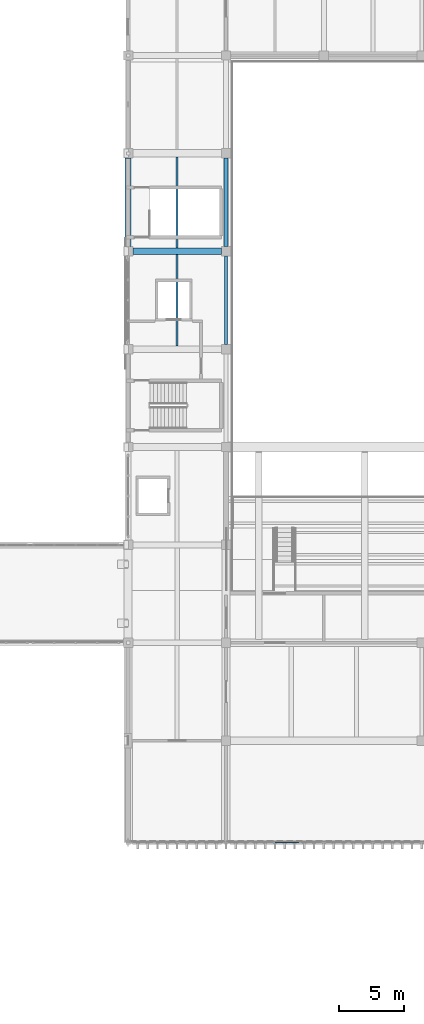
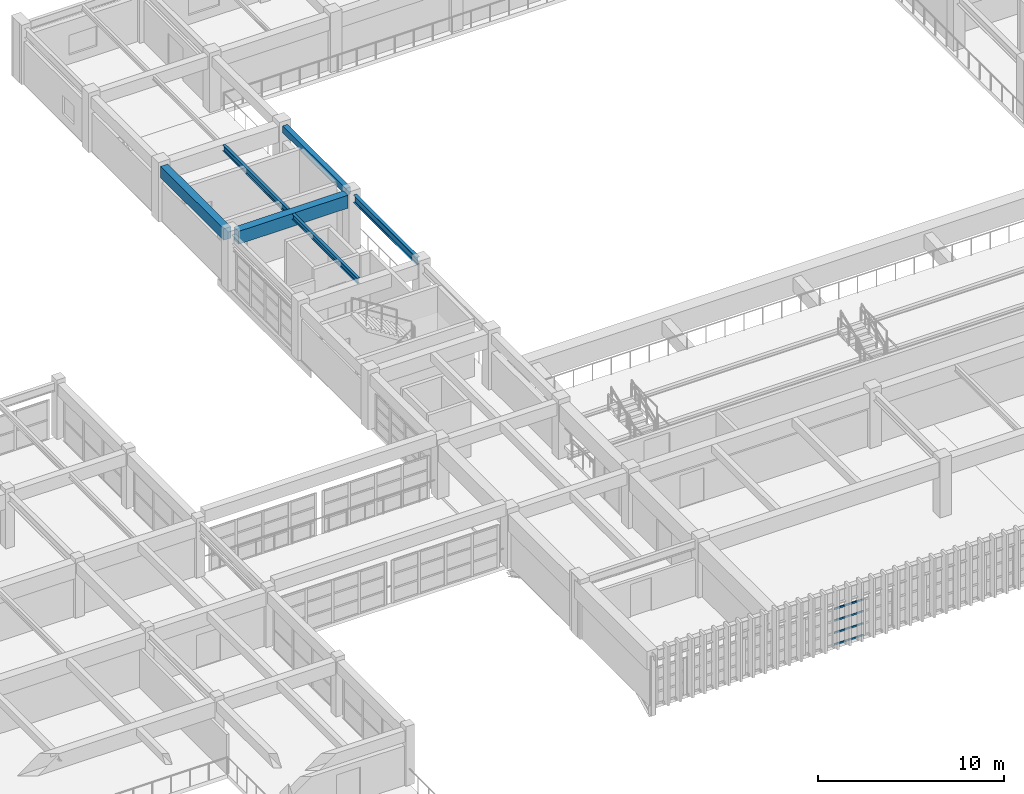
# One storey, part 39 of 101: 6 beams, 4 members, 1 element without a shape of its own.
"""IFC4 building model written with IfcOpenShell, lengths in metres."""

import ifcopenshell
import ifcopenshell.guid

model = None  # the IFC model being written
_history = None  # IfcOwnerHistory: only IFC2X3 demands one
_inside = {}  # id of a spatial element -> (the spatial element, [elements in it])
_under = {}  # id of a project, library or spatial element -> (it, [spatial elements below it])
_declared = {}  # id of a project -> (the project, [libraries it declares])
_typed = {}  # id of a type object -> (the type object, [elements of that type])
_made_of = {}  # id of a material, layer set ... -> (it, [elements and type objects made of it])


def new_model(schema):
    """Start an empty IFC model of exactly this schema.

    Asked for "IFC4X3", IfcOpenShell would pick the latest addendum, in which some entities
    have other attributes; the version numbers below select the first issue.
    IFC2X3 requires an IfcOwnerHistory on every rooted entity: one is made here for all.
    """
    global model, _history
    if schema == "IFC4X3":
        model = ifcopenshell.file(schema_version=(4, 3, 0, 0))
    else:
        model = ifcopenshell.file(schema=schema)
    _inside.clear()
    _under.clear()
    _declared.clear()
    _typed.clear()
    _made_of.clear()
    _history = None
    if model.schema == "IFC2X3":
        org = make("IfcOrganization", Name="unknown")
        user = make(
            "IfcPersonAndOrganization",
            ThePerson=make("IfcPerson", FamilyName="unknown"),
            TheOrganization=org,
        )
        app = make(
            "IfcApplication",
            ApplicationDeveloper=org,
            Version="unknown",
            ApplicationFullName="unknown",
            ApplicationIdentifier="unknown",
        )
        _history = make(
            "IfcOwnerHistory",
            OwningUser=user,
            OwningApplication=app,
            ChangeAction="ADDED",
            CreationDate=0,
        )
    return model


def make(cls, **values):
    """One entity of the class cls with the attributes given. An attribute that is None is left unset."""
    return model.create_entity(
        cls, **{name: value for name, value in values.items() if value is not None}
    )


def rooted(cls, **values):
    """An entity with a GlobalId (a new one), such as an element, a storey or a relation."""
    return make(cls, GlobalId=ifcopenshell.guid.new(), OwnerHistory=_history, **values)


def si_unit(unit_type, name, prefix=None):
    """IfcSIUnit, for example si_unit("LENGTHUNIT", "METRE", prefix="MILLI")."""
    return make("IfcSIUnit", UnitType=unit_type, Prefix=prefix, Name=name)


def assignment(units):
    """IfcUnitAssignment: the units of a project."""
    return None if units is None else make("IfcUnitAssignment", Units=units)


def point(xyz):
    """IfcCartesianPoint."""
    return None if xyz is None else make("IfcCartesianPoint", Coordinates=xyz)


def direction(xyz):
    """IfcDirection."""
    return None if xyz is None else make("IfcDirection", DirectionRatios=xyz)


def frame(location, z_axis=None, x_axis=None):
    """IfcAxis2Placement3D, a coordinate frame: its origin and axes. An axis left out is left unset."""
    return make(
        "IfcAxis2Placement3D",
        Location=point(location),
        Axis=direction(z_axis),
        RefDirection=direction(x_axis),
    )


def frame_2d(location, x_axis=None):
    """IfcAxis2Placement2D, a coordinate frame in the plane: its origin and x axis."""
    return make(
        "IfcAxis2Placement2D", Location=point(location), RefDirection=direction(x_axis)
    )


def origin():
    """The frame at (0, 0, 0) with its axes left unset."""
    return frame((0.0, 0.0, 0.0))


def origin_2d():
    """The frame at (0, 0) in the plane with its x axis left unset."""
    return frame_2d((0.0, 0.0))


def place(relative_to, where):
    """IfcLocalPlacement: puts the frame where relative to a parent placement (None: the world)."""
    return make(
        "IfcLocalPlacement", PlacementRelTo=relative_to, RelativePlacement=where
    )


def context(
    kind, dimensions, precision=None, world=None, true_north=None, identifier=None
):
    """IfcGeometricRepresentationContext, for example the 3D "Model" context."""
    return make(
        "IfcGeometricRepresentationContext",
        ContextIdentifier=identifier,
        ContextType=kind,
        CoordinateSpaceDimension=dimensions,
        Precision=precision,
        WorldCoordinateSystem=world,
        TrueNorth=true_north,
    )


def subcontext(parent, identifier, kind, view, scale=None):
    """IfcGeometricRepresentationSubContext, for example "Body" below "Model"."""
    return make(
        "IfcGeometricRepresentationSubContext",
        ContextIdentifier=identifier,
        ContextType=kind,
        ParentContext=parent,
        TargetScale=scale,
        TargetView=view,
    )


def project(units=None, contexts=None):
    """IfcProject with its units and contexts."""
    return rooted(
        "IfcProject",
        Name="project",
        RepresentationContexts=contexts,
        UnitsInContext=assignment(units),
    )


def spatial(cls, under=None, at=None, **own):
    """A site, building, storey or space (cls), placed at a placement, below another one or the project."""
    s = rooted(cls, ObjectPlacement=at, **own)
    if under is not None:
        _under.setdefault(under.id(), (under, []))[1].append(s)
    return s


def profile(cls, at=None, kind="AREA", **sizes):
    """A parametric profile (cls). Its sizes go by their IFC names, for example OverallWidth=200.0."""
    return make(cls, ProfileType=kind, Position=at, **sizes)


def rectangle(**sizes):
    """IfcRectangleProfileDef."""
    return profile("IfcRectangleProfileDef", **sizes)


def hollow_rectangle(**sizes):
    """IfcRectangleHollowProfileDef."""
    return profile("IfcRectangleHollowProfileDef", **sizes)


def i_section(**sizes):
    """IfcIShapeProfileDef."""
    return profile("IfcIShapeProfileDef", **sizes)


def extrude(swept, where, along, depth):
    """IfcExtrudedAreaSolid: the profile swept, set in the frame where, extruded along a direction by depth."""
    return make(
        "IfcExtrudedAreaSolid",
        SweptArea=swept,
        Position=where,
        ExtrudedDirection=direction(along),
        Depth=depth,
    )


def shape(context_of_items, identifier, shape_type, items):
    """IfcShapeRepresentation: the items that make up one representation, for example the "Body"."""
    return make(
        "IfcShapeRepresentation",
        ContextOfItems=context_of_items,
        RepresentationIdentifier=identifier,
        RepresentationType=shape_type,
        Items=items,
    )


def material(Name=None, Category=None):
    """IfcMaterial."""
    return make("IfcMaterial", Name=Name, Category=Category)


def material_profile(
    of_material, cross_section, Name=None, Category=None, Priority=None
):
    """IfcMaterialProfile: a cross section and its material."""
    return make(
        "IfcMaterialProfile",
        Name=Name,
        Material=of_material,
        Profile=cross_section,
        Priority=Priority,
        Category=Category,
    )


def profile_set(profiles, Name=None, composite=None):
    """IfcMaterialProfileSet."""
    return make(
        "IfcMaterialProfileSet",
        Name=Name,
        MaterialProfiles=profiles,
        CompositeProfile=composite,
    )


def made_of(thing, what):
    """Note that an element or type object is made of a material, layer set ...; save() writes the relation."""
    if what is not None:
        _made_of.setdefault(what.id(), (what, []))[1].append(thing)
    return thing


def type_object(cls, material=None, **own):
    """A type object (cls), such as IfcWallType, which elements share."""
    return made_of(rooted(cls, **own), material)


def element(
    cls,
    number,
    at=None,
    inside=None,
    cuts=None,
    type_object=None,
    material=None,
    context=None,
    identifier="Body",
    shape_type=None,
    held_by="IfcProductDefinitionShape",
    body=None,
    shapes=None,
    **own,
):
    """One element of the class cls, such as IfcWall. Its Tag is "e" and its number.

    at: its placement. inside: the storey or other place that contains it. cuts: it is an
    opening in that element (IfcRelVoidsElement). A single representation is given by context,
    identifier, shape_type and body (its items); several are given by shapes. held_by: the class
    of the entity that holds the representations. save() writes the other relations.
    """
    e = rooted(cls, Tag="e%d" % number, ObjectPlacement=at, **own)
    if body is not None:
        shapes = [shape(context, identifier, shape_type, body)]
    if shapes is not None:
        e.Representation = make(held_by, Representations=shapes)
    if inside is not None:
        _inside.setdefault(inside.id(), (inside, []))[1].append(e)
    if cuts is not None:
        rooted(
            "IfcRelVoidsElement", RelatingBuildingElement=cuts, RelatedOpeningElement=e
        )
    if type_object is not None:
        _typed.setdefault(type_object.id(), (type_object, []))[1].append(e)
    return made_of(e, material)


def aggregate(whole, parts):
    """IfcRelAggregates: a whole, such as a stair, and the parts it consists of."""
    return rooted("IfcRelAggregates", RelatingObject=whole, RelatedObjects=parts)


def save(model, path):
    """Write the relations noted so far, then the file.

    IfcRelAggregates (storeys below a building ...), IfcRelContainedInSpatialStructure (elements
    in a storey), IfcRelDefinesByType, IfcRelAssociatesMaterial and IfcRelDeclares: one each for
    every whole, place, type object, material and project.
    """
    for whole, parts in _under.values():
        aggregate(whole, parts)
    for where, things in _inside.values():
        rooted(
            "IfcRelContainedInSpatialStructure",
            RelatedElements=things,
            RelatingStructure=where,
        )
    for kind, things in _typed.values():
        rooted("IfcRelDefinesByType", RelatedObjects=things, RelatingType=kind)
    for what, things in _made_of.values():
        rooted("IfcRelAssociatesMaterial", RelatedObjects=things, RelatingMaterial=what)
    for by, libraries in _declared.values():
        rooted("IfcRelDeclares", RelatingContext=by, RelatedDefinitions=libraries)
    model.write(path)


model = new_model("IFC4")

# Units and contexts
model_context = context("Model", 3, precision=1e-05, world=origin(), true_north=direction((0.0, 1.0)))
body_context = subcontext(model_context, "Body", "Model", "MODEL_VIEW")
ifc_project = project(units=[si_unit("LENGTHUNIT", "METRE"), si_unit("AREAUNIT", "SQUARE_METRE"), si_unit("VOLUMEUNIT", "CUBIC_METRE"), si_unit("PLANEANGLEUNIT", "RADIAN"), si_unit("MASSUNIT", "GRAM", prefix="KILO")], contexts=[model_context])

# Site, building, storey
site_placement = place(None, origin())
site = spatial("IfcSite", under=ifc_project, at=site_placement, CompositionType="ELEMENT")
building_placement = place(site_placement, origin())
building = spatial("IfcBuilding", under=site, at=building_placement, Name="Qasida Concert Hall", CompositionType="ELEMENT")
storey_placement = place(building_placement, frame((0.0, 0.0, 13.199951171875)))
storey = spatial("IfcBuildingStorey", under=building, at=storey_placement, Name="L03", CompositionType="ELEMENT", Elevation=13.199951171875)

# Beams
ifc_material_1 = material(Name="Concrete C40/50", Category="concrete")
ifc_material_profile_1 = material_profile(ifc_material_1, rectangle(XDim=0.300048828125, YDim=0.449951171875, at=origin_2d()), Name="RC 300x450")
ifc_profile_set_1 = profile_set([ifc_material_profile_1], Name="Concrete C40/50")
beam_type_1 = type_object("IfcBeamType", Name="BM-B3", PredefinedType="BEAM", material=ifc_profile_set_1)
beam_1_placement = place(storey_placement, frame((60.0, 60.360107421875, 3.39501953125), z_axis=(0.0, 1.0, 0.0), x_axis=(-1.0, 0.0, 0.0)))
element("IfcBeam", 1, at=beam_1_placement, inside=storey, type_object=beam_type_1, Name="L03 girder 1553", PredefinedType="BEAM", context=body_context, shape_type="SweptSolid", body=[
    extrude(rectangle(XDim=0.300048828125, YDim=0.449951171875, at=origin_2d()), origin(), (0.0, 0.0, 1.0), 6.77978515625),
])
ifc_material_2 = material(Name="Steel S355J2", Category="steel")
ifc_material_profile_2 = material_profile(ifc_material_2, i_section(OverallWidth=0.199951171875, OverallDepth=0.5, WebThickness=0.01025390625, FlangeThickness=0.01611328125, FilletRadius=0.02099609375, at=origin_2d()), Name="IPE 500")
ifc_profile_set_2 = profile_set([ifc_material_profile_2], Name="Steel S355J2")
beam_type_2 = type_object("IfcBeamType", Name="BM-B4", PredefinedType="BEAM", material=ifc_profile_set_2)
beam_2_placement = place(storey_placement, frame((60.0, 52.860107421875, 3.3701171875), z_axis=(0.0, 1.0, 0.0), x_axis=(-1.0, 0.0, 0.0)))
element("IfcBeam", 2, at=beam_2_placement, inside=storey, type_object=beam_type_2, Name="L03 girder 1552", PredefinedType="BEAM", context=body_context, shape_type="SweptSolid", body=[
    extrude(i_section(OverallWidth=0.199951171875, OverallDepth=0.5, WebThickness=0.01025390625, FlangeThickness=0.01611328125, FilletRadius=0.02099609375, at=origin_2d()), origin(), (0.0, 0.0, 1.0), 6.77978515625),
])
ifc_material_profile_3 = material_profile(ifc_material_1, rectangle(XDim=0.47998046875, YDim=0.85009765625, at=origin_2d()), Name="RC 480x850")
ifc_profile_set_3 = profile_set([ifc_material_profile_3], Name="Concrete C40/50")
beam_type_3 = type_object("IfcBeamType", Name="BM-G6", PredefinedType="USERDEFINED", material=ifc_profile_set_3)
beam_3_placement = place(storey_placement, frame((52.860107421875, 60.0, 3.195068359375), z_axis=(1.0, 0.0, 0.0), x_axis=(0.0, 1.0, 0.0)))
element("IfcBeam", 3, at=beam_3_placement, inside=storey, type_object=beam_type_3, Name="Primary girder 1526", ObjectType="GIRDER", PredefinedType="USERDEFINED", context=body_context, shape_type="SweptSolid", body=[
    extrude(rectangle(XDim=0.47998046875, YDim=0.85009765625, at=origin_2d()), origin(), (0.0, 0.0, 1.0), 6.77978515625),
])
ifc_material_profile_4 = material_profile(ifc_material_2, i_section(OverallWidth=0.169921875, OverallDepth=0.360107421875, WebThickness=0.008056640625, FlangeThickness=0.0126953125, FilletRadius=0.01806640625, at=origin_2d()), Name="IPE 360")
ifc_profile_set_4 = profile_set([ifc_material_profile_4], Name="Steel S355J2")
beam_type_4 = type_object("IfcBeamType", Name="BM-J2", PredefinedType="JOIST", material=ifc_profile_set_4)
beam_4_placement = place(storey_placement, frame((56.25, 52.75, 3.43994140625), z_axis=(0.0, 1.0, 0.0), x_axis=(-1.0, 0.0, 0.0)))
element("IfcBeam", 4, at=beam_4_placement, inside=storey, type_object=beam_type_4, Name="L03 secondary joist 1577", PredefinedType="JOIST", context=body_context, shape_type="SweptSolid", body=[
    extrude(i_section(OverallWidth=0.169921875, OverallDepth=0.360107421875, WebThickness=0.008056640625, FlangeThickness=0.0126953125, FilletRadius=0.01806640625, at=origin_2d()), origin(), (0.0, 0.0, 1.0), 7.010009765625),
])
ifc_material_profile_5 = material_profile(ifc_material_2, i_section(OverallWidth=0.179931640625, OverallDepth=0.39990234375, WebThickness=0.008544921875, FlangeThickness=0.013427734375, FilletRadius=0.02099609375, at=origin_2d()), Name="IPE 400")
ifc_profile_set_5 = profile_set([ifc_material_profile_5], Name="Steel S355J2")
beam_type_5 = type_object("IfcBeamType", Name="BM-J3", PredefinedType="JOIST", material=ifc_profile_set_5)
beam_5_placement = place(storey_placement, frame((56.25, 60.239990234375, 3.420166015625), z_axis=(0.0, 1.0, 0.0), x_axis=(-1.0, 0.0, 0.0)))
element("IfcBeam", 5, at=beam_5_placement, inside=storey, type_object=beam_type_5, Name="L03 secondary joist 1578", PredefinedType="JOIST", context=body_context, shape_type="SweptSolid", body=[
    extrude(i_section(OverallWidth=0.179931640625, OverallDepth=0.39990234375, WebThickness=0.008544921875, FlangeThickness=0.013427734375, FilletRadius=0.02099609375, at=origin_2d()), origin(), (0.0, 0.0, 1.0), 6.969970703125),
])
ifc_material_profile_6 = material_profile(ifc_material_1, rectangle(XDim=0.449951171875, YDim=0.75, at=origin_2d()), Name="RC 450x750")
ifc_profile_set_6 = profile_set([ifc_material_profile_6], Name="Concrete C40/50")
beam_type_6 = type_object("IfcBeamType", Name="BM-SP4", PredefinedType="SPANDREL", material=ifc_profile_set_6)
beam_6_placement = place(storey_placement, frame((52.5, 60.360107421875, 3.2451171875), z_axis=(0.0, 1.0, 0.0), x_axis=(-1.0, 0.0, 0.0)))
element("IfcBeam", 6, at=beam_6_placement, inside=storey, type_object=beam_type_6, Name="L03 girder 1547", PredefinedType="SPANDREL", context=body_context, shape_type="SweptSolid", body=[
    extrude(rectangle(XDim=0.449951171875, YDim=0.75, at=origin_2d()), origin(), (0.0, 0.0, 1.0), 6.77978515625),
])

# Curtain wall, members
ifc_material_3 = material(Name="Architectural bronze-anodized aluminium and low-E glass", Category="aluminium")
curtain_wall_type = type_object("IfcCurtainWallType", Name="CW-04", PredefinedType="NOTDEFINED", material=ifc_material_3)
curtain_wall_placement = place(storey_placement, origin())
curtain_wall = element("IfcCurtainWall", 7, at=curtain_wall_placement, inside=storey, type_object=curtain_wall_type, Name="L03 curtain wall CW-04 0016", PredefinedType="NOTDEFINED")
ifc_material_4 = material(Name="Architectural bronze-anodized aluminium EN AW-6063", Category="aluminium")
ifc_material_profile_7 = material_profile(ifc_material_4, hollow_rectangle(XDim=0.06005859375, YDim=0.1201171875, WallThickness=0.00390625, InnerFilletRadius=0.00390625, OuterFilletRadius=0.008056640625, at=origin_2d()), Name="CWT 120x60x4")
ifc_profile_set_7 = profile_set([ifc_material_profile_7], Name="Architectural bronze-anodized aluminium EN AW-6063")
member_type = type_object("IfcMemberType", Name="MB-CWT-2", PredefinedType="USERDEFINED", material=ifc_profile_set_7)
member_1_placement = place(storey_placement, frame((63.782470703125, 14.699951171875, 0.030029296875), z_axis=(1.0, 0.0, 0.0), x_axis=(0.0, 1.0, 0.0)))
member_1 = element("IfcMember", 8, at=member_1_placement, type_object=member_type, Name="CW-04 transom 3.1", ObjectType="TRANSOM", PredefinedType="USERDEFINED", context=body_context, shape_type="SweptSolid", body=[
    extrude(hollow_rectangle(XDim=0.06005859375, YDim=0.1201171875, WallThickness=0.00390625, InnerFilletRadius=0.00390625, OuterFilletRadius=0.008056640625, at=origin_2d()), origin(), (0.0, 0.0, 1.0), 1.800048828125),
])
member_2_placement = place(storey_placement, frame((63.782470703125, 14.699951171875, 0.796630859375), z_axis=(1.0, 0.0, 0.0), x_axis=(0.0, 1.0, 0.0)))
member_2 = element("IfcMember", 9, at=member_2_placement, type_object=member_type, Name="CW-04 transom 3.2", ObjectType="TRANSOM", PredefinedType="USERDEFINED", context=body_context, shape_type="SweptSolid", body=[
    extrude(hollow_rectangle(XDim=0.06005859375, YDim=0.1201171875, WallThickness=0.00390625, InnerFilletRadius=0.00390625, OuterFilletRadius=0.008056640625, at=origin_2d()), origin(), (0.0, 0.0, 1.0), 1.800048828125),
])
member_3_placement = place(storey_placement, frame((63.782470703125, 14.699951171875, 1.59326171875), z_axis=(1.0, 0.0, 0.0), x_axis=(0.0, 1.0, 0.0)))
member_3 = element("IfcMember", 10, at=member_3_placement, type_object=member_type, Name="CW-04 transom 3.3", ObjectType="TRANSOM", PredefinedType="USERDEFINED", context=body_context, shape_type="SweptSolid", body=[
    extrude(hollow_rectangle(XDim=0.06005859375, YDim=0.1201171875, WallThickness=0.00390625, InnerFilletRadius=0.00390625, OuterFilletRadius=0.008056640625, at=origin_2d()), origin(), (0.0, 0.0, 1.0), 1.800048828125),
])
member_4_placement = place(storey_placement, frame((63.782470703125, 14.699951171875, 2.360107421875), z_axis=(1.0, 0.0, 0.0), x_axis=(0.0, 1.0, 0.0)))
member_4 = element("IfcMember", 11, at=member_4_placement, type_object=member_type, Name="CW-04 transom 3.4", ObjectType="TRANSOM", PredefinedType="USERDEFINED", context=body_context, shape_type="SweptSolid", body=[
    extrude(hollow_rectangle(XDim=0.06005859375, YDim=0.1201171875, WallThickness=0.00390625, InnerFilletRadius=0.00390625, OuterFilletRadius=0.008056640625, at=origin_2d()), origin(), (0.0, 0.0, 1.0), 1.800048828125),
])
aggregate(curtain_wall, [member_1, member_2, member_3, member_4])

save(model, "model.ifc")
